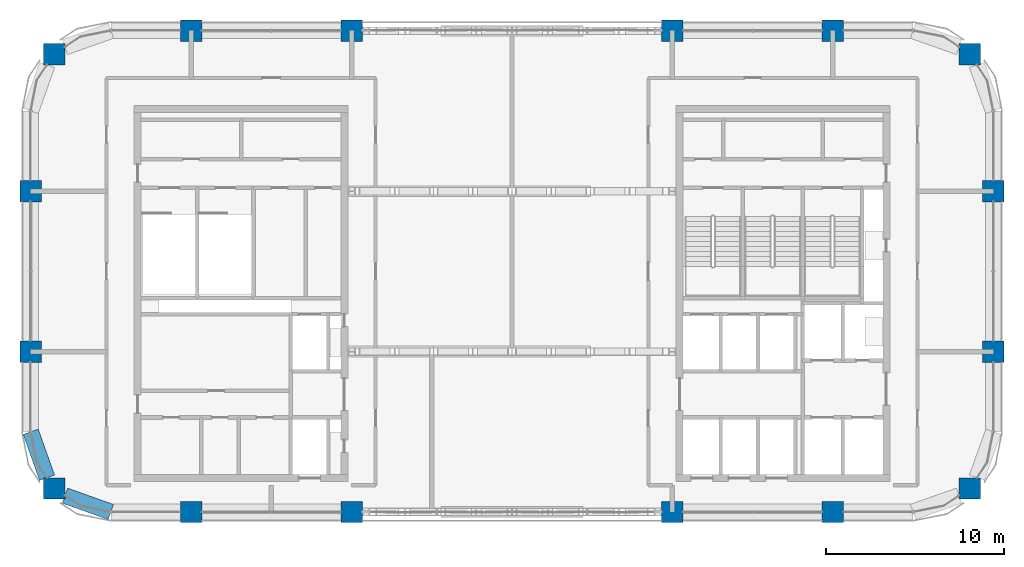
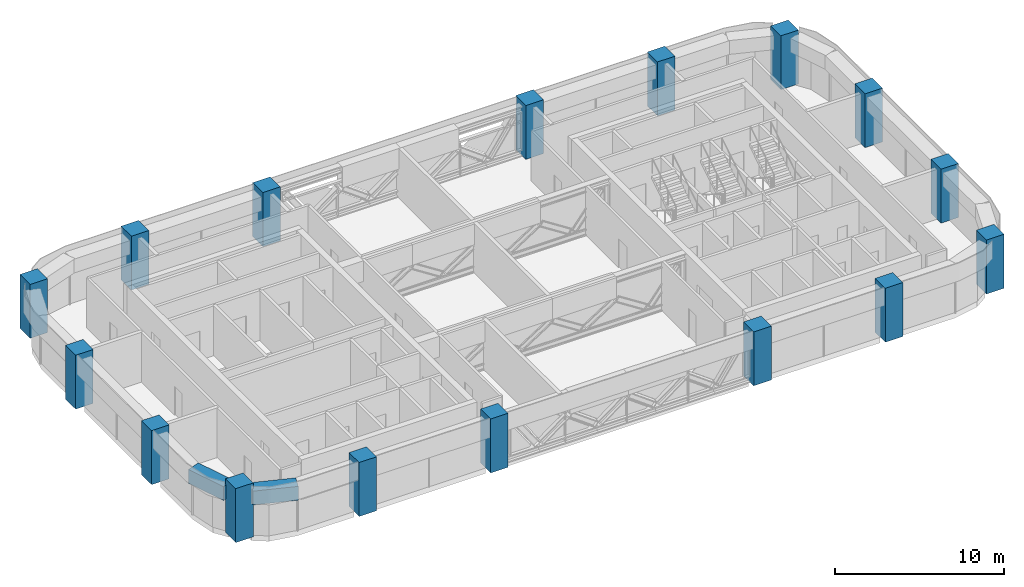
# One storey, part 1 of 12: 16 columns, 2 beams.
"""IFC4 building model written with IfcOpenShell, lengths in metres."""

from ifc_helpers import new_model, si_unit, direction, frame, origin, origin_2d, place, context, subcontext, project, spatial, rectangle, extrude, material, material_profile, profile_set, type_object, element, save


model = new_model("IFC4")

# Units and contexts
model_context = context("Model", 3, precision=1e-05, world=origin(), true_north=direction((0.0, 1.0)))
body_context = subcontext(model_context, "Body", "Model", "MODEL_VIEW")
ifc_project = project(units=[si_unit("LENGTHUNIT", "METRE"), si_unit("AREAUNIT", "SQUARE_METRE"), si_unit("VOLUMEUNIT", "CUBIC_METRE"), si_unit("PLANEANGLEUNIT", "RADIAN"), si_unit("MASSUNIT", "GRAM", prefix="KILO")], contexts=[model_context])

# Site, building, storey
site_placement = place(None, origin())
site = spatial("IfcSite", under=ifc_project, at=site_placement, CompositionType="ELEMENT")
building_placement = place(site_placement, origin())
building = spatial("IfcBuilding", under=site, at=building_placement, Name="Tessera Arch", CompositionType="ELEMENT")
storey_placement = place(building_placement, frame((0.0, 0.0, 230.60009765625)))
storey = spatial("IfcBuildingStorey", under=building, at=storey_placement, Name="L55", CompositionType="ELEMENT", Elevation=230.60009765625)

# Columns
ifc_material_1 = material(Name="Concrete C60/75", Category="concrete")
ifc_material_profile_1 = material_profile(ifc_material_1, rectangle(XDim=1.199951171875, YDim=1.199951171875, at=origin_2d()), Name="RC column 1200 x 1200 Concrete C60/75")
ifc_profile_set_1 = profile_set([ifc_material_profile_1], Name="Concrete C60/75")
column_type = type_object("IfcColumnType", Name="RC column 1200 x 1200 Concrete C60/75", PredefinedType="COLUMN", material=ifc_profile_set_1)
for number, where, z_axis, x_axis, name in (
    (1, (1.318115234375, 28.318115234375, 0.0), (0.0, 0.0, 1.0), (1.0, 0.0, 0.0), "Column C1D L55"),
    (2, (0.0, 36.0, 0.0), (0.0, 0.0, 1.0), (1.0, 0.0, 0.0), "Column C1E L55"),
    (3, (0.0, 45.0, 0.0), (0.0, 0.0, 1.0), (1.0, 0.0, 0.0), "Column C1F L55"),
    (4, (1.318115234375, 52.681884765625, 0.0), (0.0, 0.0, 1.0), (1.0, 0.0, 0.0), "Column C1G L55"),
    (5, (9.0, 27.0, 0.0), (0.0, 0.0, 1.0), (1.0, 0.0, 0.0), "Column C2D L55"),
    (6, (9.0, 54.0, 0.0), (0.0, 0.0, 1.0), (1.0, 0.0, 0.0), "Column C2G L55"),
    (7, (18.0, 27.0, 0.0), (0.0, 0.0, 1.0), (1.0, 0.0, 0.0), "Column C3D L55"),
    (8, (18.0, 54.0, 0.0), (0.0, 0.0, 1.0), (1.0, 0.0, 0.0), "Column C3G L55"),
    (9, (36.0, 27.0, 0.0), (0.0, 0.0, 1.0), (1.0, 0.0, 0.0), "Column C5D L55"),
    (10, (36.0, 54.0, 0.0), (0.0, 0.0, 1.0), (1.0, 0.0, 0.0), "Column C5G L55"),
    (11, (45.0, 27.0, 0.0), (0.0, 0.0, 1.0), (1.0, 0.0, 0.0), "Column C6D L55"),
    (12, (45.0, 54.0, 0.0), (0.0, 0.0, 1.0), (1.0, 0.0, 0.0), "Column C6G L55"),
    (13, (52.681884765625, 28.318115234375, 0.0), (0.0, 0.0, 1.0), (1.0, 0.0, 0.0), "Column C7D L55"),
    (14, (54.0, 36.0, 0.0), (0.0, 0.0, 1.0), (1.0, 0.0, 0.0), "Column C7E L55"),
    (15, (54.0, 45.0, 0.0), (0.0, 0.0, 1.0), (1.0, 0.0, 0.0), "Column C7F L55"),
    (16, (52.681884765625, 52.681884765625, 0.0), (0.0, 0.0, 1.0), (1.0, 0.0, 0.0), "Column C7G L55"),
):
    element("IfcColumn", number, at=place(storey_placement, frame(where, z_axis=z_axis, x_axis=x_axis)), inside=storey, type_object=column_type, Name=name, PredefinedType="COLUMN", context=body_context, shape_type="SweptSolid", body=[
        extrude(rectangle(XDim=1.199951171875, YDim=1.199951171875, at=origin_2d()), origin(), (0.0, 0.0, 1.0), 3.89990234375),
    ])

# Beams
ifc_material_2 = material(Name="Concrete C60/75", Category="concrete")
ifc_material_profile_2 = material_profile(ifc_material_2, rectangle(XDim=0.89990234375, YDim=1.0, at=origin_2d()), Name="RC spandrel beam 900 x 1000 Concrete C60/75")
ifc_profile_set_2 = profile_set([ifc_material_profile_2], Name="Concrete C60/75")
beam_type = type_object("IfcBeamType", Name="RC spandrel beam 900 x 1000 Concrete C60/75", PredefinedType="BEAM", material=ifc_profile_set_2)
for number, where, z_axis, x_axis, name in (
    (17, (0.0, 31.5, 2.989990234375), (0.334665114373, -0.942337127159, 0.0), (0.942337127159, 0.334665114373, 0.0), "Spandrel beam L55 W0.27/2.2"),
    (18, (1.91796875, 27.9169921875, 2.989990234375), (0.942337127159, -0.334665114373, 0.0), (0.334665114373, 0.942337127159, 0.0), "Spandrel beam L55 S27.0/0.1"),
):
    element("IfcBeam", number, at=place(storey_placement, frame(where, z_axis=z_axis, x_axis=x_axis)), inside=storey, type_object=beam_type, Name=name, PredefinedType="BEAM", context=body_context, shape_type="SweptSolid", body=[
        extrude(rectangle(XDim=0.89990234375, YDim=1.0, at=origin_2d()), origin(), (0.0, 0.0, 1.0), 2.739990234375),
    ])

save(model, "model.ifc")
